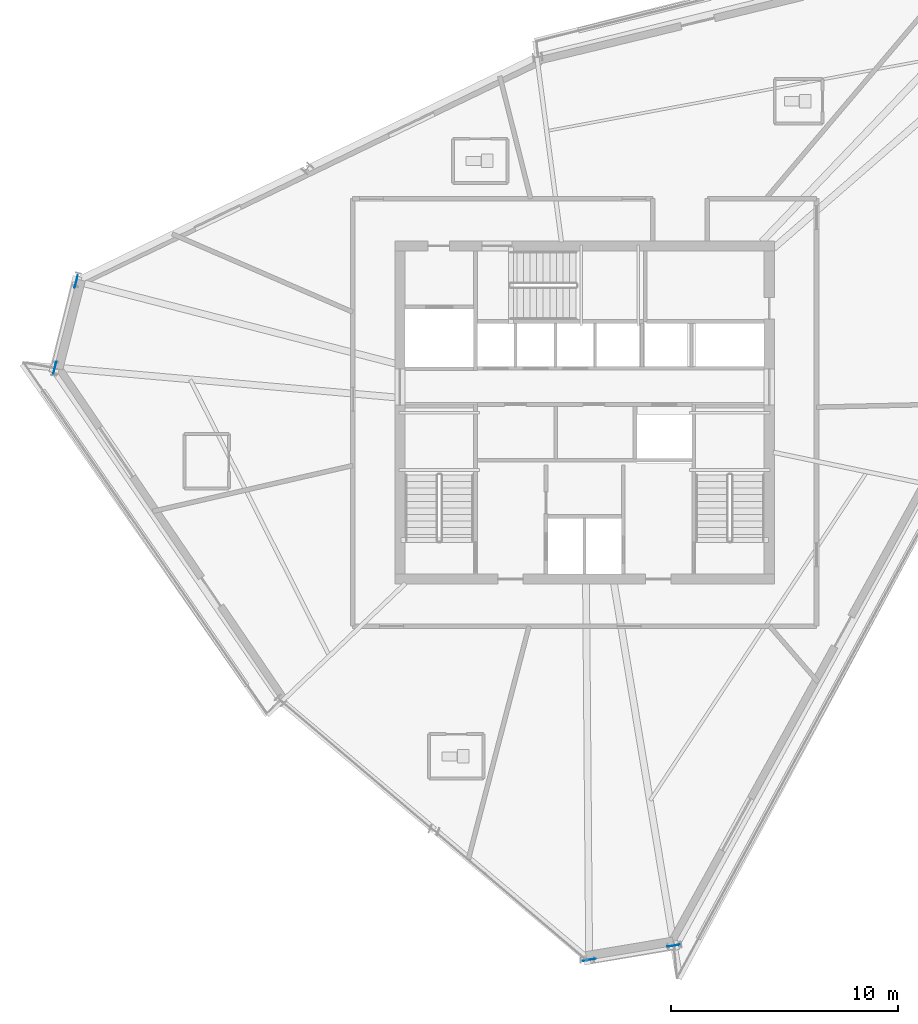
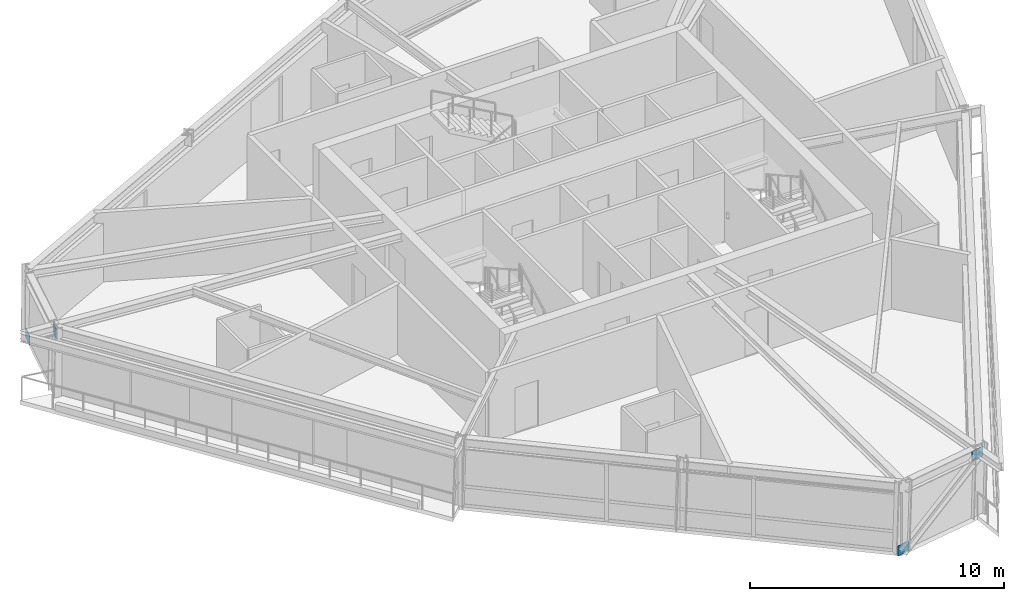
# One storey, part 6 of 15: 4 plates.
"""IFC4 building model written with IfcOpenShell, lengths in metres."""

import ifcopenshell
import ifcopenshell.guid

model = None  # the IFC model being written
_history = None  # IfcOwnerHistory: only IFC2X3 demands one
_inside = {}  # id of a spatial element -> (the spatial element, [elements in it])
_under = {}  # id of a project, library or spatial element -> (it, [spatial elements below it])
_declared = {}  # id of a project -> (the project, [libraries it declares])
_typed = {}  # id of a type object -> (the type object, [elements of that type])
_made_of = {}  # id of a material, layer set ... -> (it, [elements and type objects made of it])


def new_model(schema):
    """Start an empty IFC model of exactly this schema.

    Asked for "IFC4X3", IfcOpenShell would pick the latest addendum, in which some entities
    have other attributes; the version numbers below select the first issue.
    IFC2X3 requires an IfcOwnerHistory on every rooted entity: one is made here for all.
    """
    global model, _history
    if schema == "IFC4X3":
        model = ifcopenshell.file(schema_version=(4, 3, 0, 0))
    else:
        model = ifcopenshell.file(schema=schema)
    _inside.clear()
    _under.clear()
    _declared.clear()
    _typed.clear()
    _made_of.clear()
    _history = None
    if model.schema == "IFC2X3":
        org = make("IfcOrganization", Name="unknown")
        user = make(
            "IfcPersonAndOrganization",
            ThePerson=make("IfcPerson", FamilyName="unknown"),
            TheOrganization=org,
        )
        app = make(
            "IfcApplication",
            ApplicationDeveloper=org,
            Version="unknown",
            ApplicationFullName="unknown",
            ApplicationIdentifier="unknown",
        )
        _history = make(
            "IfcOwnerHistory",
            OwningUser=user,
            OwningApplication=app,
            ChangeAction="ADDED",
            CreationDate=0,
        )
    return model


def make(cls, **values):
    """One entity of the class cls with the attributes given. An attribute that is None is left unset."""
    return model.create_entity(
        cls, **{name: value for name, value in values.items() if value is not None}
    )


def rooted(cls, **values):
    """An entity with a GlobalId (a new one), such as an element, a storey or a relation."""
    return make(cls, GlobalId=ifcopenshell.guid.new(), OwnerHistory=_history, **values)


def si_unit(unit_type, name, prefix=None):
    """IfcSIUnit, for example si_unit("LENGTHUNIT", "METRE", prefix="MILLI")."""
    return make("IfcSIUnit", UnitType=unit_type, Prefix=prefix, Name=name)


def assignment(units):
    """IfcUnitAssignment: the units of a project."""
    return None if units is None else make("IfcUnitAssignment", Units=units)


def point(xyz):
    """IfcCartesianPoint."""
    return None if xyz is None else make("IfcCartesianPoint", Coordinates=xyz)


def direction(xyz):
    """IfcDirection."""
    return None if xyz is None else make("IfcDirection", DirectionRatios=xyz)


def frame(location, z_axis=None, x_axis=None):
    """IfcAxis2Placement3D, a coordinate frame: its origin and axes. An axis left out is left unset."""
    return make(
        "IfcAxis2Placement3D",
        Location=point(location),
        Axis=direction(z_axis),
        RefDirection=direction(x_axis),
    )


def frame_2d(location, x_axis=None):
    """IfcAxis2Placement2D, a coordinate frame in the plane: its origin and x axis."""
    return make(
        "IfcAxis2Placement2D", Location=point(location), RefDirection=direction(x_axis)
    )


def origin():
    """The frame at (0, 0, 0) with its axes left unset."""
    return frame((0.0, 0.0, 0.0))


def origin_2d():
    """The frame at (0, 0) in the plane with its x axis left unset."""
    return frame_2d((0.0, 0.0))


def place(relative_to, where):
    """IfcLocalPlacement: puts the frame where relative to a parent placement (None: the world)."""
    return make(
        "IfcLocalPlacement", PlacementRelTo=relative_to, RelativePlacement=where
    )


def context(
    kind, dimensions, precision=None, world=None, true_north=None, identifier=None
):
    """IfcGeometricRepresentationContext, for example the 3D "Model" context."""
    return make(
        "IfcGeometricRepresentationContext",
        ContextIdentifier=identifier,
        ContextType=kind,
        CoordinateSpaceDimension=dimensions,
        Precision=precision,
        WorldCoordinateSystem=world,
        TrueNorth=true_north,
    )


def subcontext(parent, identifier, kind, view, scale=None):
    """IfcGeometricRepresentationSubContext, for example "Body" below "Model"."""
    return make(
        "IfcGeometricRepresentationSubContext",
        ContextIdentifier=identifier,
        ContextType=kind,
        ParentContext=parent,
        TargetScale=scale,
        TargetView=view,
    )


def project(units=None, contexts=None):
    """IfcProject with its units and contexts."""
    return rooted(
        "IfcProject",
        Name="project",
        RepresentationContexts=contexts,
        UnitsInContext=assignment(units),
    )


def spatial(cls, under=None, at=None, **own):
    """A site, building, storey or space (cls), placed at a placement, below another one or the project."""
    s = rooted(cls, ObjectPlacement=at, **own)
    if under is not None:
        _under.setdefault(under.id(), (under, []))[1].append(s)
    return s


def profile(cls, at=None, kind="AREA", **sizes):
    """A parametric profile (cls). Its sizes go by their IFC names, for example OverallWidth=200.0."""
    return make(cls, ProfileType=kind, Position=at, **sizes)


def rectangle(**sizes):
    """IfcRectangleProfileDef."""
    return profile("IfcRectangleProfileDef", **sizes)


def extrude(swept, where, along, depth):
    """IfcExtrudedAreaSolid: the profile swept, set in the frame where, extruded along a direction by depth."""
    return make(
        "IfcExtrudedAreaSolid",
        SweptArea=swept,
        Position=where,
        ExtrudedDirection=direction(along),
        Depth=depth,
    )


def shape(context_of_items, identifier, shape_type, items):
    """IfcShapeRepresentation: the items that make up one representation, for example the "Body"."""
    return make(
        "IfcShapeRepresentation",
        ContextOfItems=context_of_items,
        RepresentationIdentifier=identifier,
        RepresentationType=shape_type,
        Items=items,
    )


def source(mapping_origin, context_of_items, identifier, shape_type, items):
    """IfcRepresentationMap: a shape defined once, which mapped items show again and again."""
    return make(
        "IfcRepresentationMap",
        MappingOrigin=mapping_origin,
        MappedRepresentation=shape(context_of_items, identifier, shape_type, items),
    )


def transform(
    local_origin,
    x_axis=None,
    y_axis=None,
    z_axis=None,
    scale=None,
    scale2=None,
    scale3=None,
    uniform=True,
):
    """IfcCartesianTransformationOperator3D, or its non-uniform kind. x_axis, y_axis, z_axis: its Axis1, 2, 3."""
    if uniform:
        return make(
            "IfcCartesianTransformationOperator3D",
            Axis1=direction(x_axis),
            Axis2=direction(y_axis),
            LocalOrigin=point(local_origin),
            Scale=scale,
            Axis3=direction(z_axis),
        )
    return make(
        "IfcCartesianTransformationOperator3DnonUniform",
        Axis1=direction(x_axis),
        Axis2=direction(y_axis),
        LocalOrigin=point(local_origin),
        Scale=scale,
        Axis3=direction(z_axis),
        Scale2=scale2,
        Scale3=scale3,
    )


def mapped(mapping_source, mapping_target):
    """IfcMappedItem: shows the shape of a source again, moved by a transform."""
    return make(
        "IfcMappedItem", MappingSource=mapping_source, MappingTarget=mapping_target
    )


def material(Name=None, Category=None):
    """IfcMaterial."""
    return make("IfcMaterial", Name=Name, Category=Category)


def made_of(thing, what):
    """Note that an element or type object is made of a material, layer set ...; save() writes the relation."""
    if what is not None:
        _made_of.setdefault(what.id(), (what, []))[1].append(thing)
    return thing


def type_object(cls, material=None, **own):
    """A type object (cls), such as IfcWallType, which elements share."""
    return made_of(rooted(cls, **own), material)


def element(
    cls,
    number,
    at=None,
    inside=None,
    cuts=None,
    type_object=None,
    material=None,
    context=None,
    identifier="Body",
    shape_type=None,
    held_by="IfcProductDefinitionShape",
    body=None,
    shapes=None,
    **own,
):
    """One element of the class cls, such as IfcWall. Its Tag is "e" and its number.

    at: its placement. inside: the storey or other place that contains it. cuts: it is an
    opening in that element (IfcRelVoidsElement). A single representation is given by context,
    identifier, shape_type and body (its items); several are given by shapes. held_by: the class
    of the entity that holds the representations. save() writes the other relations.
    """
    e = rooted(cls, Tag="e%d" % number, ObjectPlacement=at, **own)
    if body is not None:
        shapes = [shape(context, identifier, shape_type, body)]
    if shapes is not None:
        e.Representation = make(held_by, Representations=shapes)
    if inside is not None:
        _inside.setdefault(inside.id(), (inside, []))[1].append(e)
    if cuts is not None:
        rooted(
            "IfcRelVoidsElement", RelatingBuildingElement=cuts, RelatedOpeningElement=e
        )
    if type_object is not None:
        _typed.setdefault(type_object.id(), (type_object, []))[1].append(e)
    return made_of(e, material)


def aggregate(whole, parts):
    """IfcRelAggregates: a whole, such as a stair, and the parts it consists of."""
    return rooted("IfcRelAggregates", RelatingObject=whole, RelatedObjects=parts)


def save(model, path):
    """Write the relations noted so far, then the file.

    IfcRelAggregates (storeys below a building ...), IfcRelContainedInSpatialStructure (elements
    in a storey), IfcRelDefinesByType, IfcRelAssociatesMaterial and IfcRelDeclares: one each for
    every whole, place, type object, material and project.
    """
    for whole, parts in _under.values():
        aggregate(whole, parts)
    for where, things in _inside.values():
        rooted(
            "IfcRelContainedInSpatialStructure",
            RelatedElements=things,
            RelatingStructure=where,
        )
    for kind, things in _typed.values():
        rooted("IfcRelDefinesByType", RelatedObjects=things, RelatingType=kind)
    for what, things in _made_of.values():
        rooted("IfcRelAssociatesMaterial", RelatedObjects=things, RelatingMaterial=what)
    for by, libraries in _declared.values():
        rooted("IfcRelDeclares", RelatingContext=by, RelatedDefinitions=libraries)
    model.write(path)


model = new_model("IFC4")

# Units and contexts
model_context = context("Model", 3, precision=1e-05, world=origin(), true_north=direction((0.0, 1.0)))
body_context = subcontext(model_context, "Body", "Model", "MODEL_VIEW")
ifc_project = project(units=[si_unit("LENGTHUNIT", "METRE"), si_unit("AREAUNIT", "SQUARE_METRE"), si_unit("VOLUMEUNIT", "CUBIC_METRE"), si_unit("PLANEANGLEUNIT", "RADIAN"), si_unit("MASSUNIT", "GRAM", prefix="KILO")], contexts=[model_context])

# Site, building, storey
site_placement = place(None, origin())
site = spatial("IfcSite", under=ifc_project, at=site_placement, CompositionType="ELEMENT")
building_placement = place(site_placement, origin())
building = spatial("IfcBuilding", under=site, at=building_placement, Name="Olszyna Solenne Hotel", CompositionType="ELEMENT")
storey_placement = place(building_placement, frame((0.0, 0.0, 213.14990234375)))
storey = spatial("IfcBuildingStorey", under=building, at=storey_placement, Name="L56", CompositionType="ELEMENT", Elevation=213.14990234375)

# Plates
ifc_material = material(Name="Steel S355J2", Category="steel")
plate_type = type_object("IfcPlateType", Name="GP-ND2", PredefinedType="USERDEFINED", material=ifc_material)
shared_shape = source(origin(), body_context, "Body", "SweptSolid", [
    extrude(rectangle(XDim=0.56005859375, YDim=0.02001953125, at=origin_2d()), origin(), (0.0, 0.0, 1.0), 0.47998046875),
])
for number, where, z_axis, x_axis, name in (
    (1, (15.635498046875, 32.355712890625, -0.146728515625), (0.0, 0.0, 1.0), (-0.241244442494, -0.970464383152, 0.0), "Brace end connection gusset plate GP-ND2 EP-BR-L56-2-1"),
    (2, (14.693115234375, 28.565673828125, 2.73193359375), (0.0, 0.0, 1.0), (-0.241244442494, -0.970464383152, 0.0), "Brace end connection gusset plate GP-ND2 EP-BR-L56-2-2"),
    (3, (38.204345703125, 2.52099609375, -0.144775390625), (0.0, 0.0, 1.0), (0.986285601537, 0.165047605861, 0.0), "Brace end connection gusset plate GP-ND2 EP-BR-L56-3-1"),
    (4, (41.916015625, 3.142333984375, 2.730224609375), (0.0, 0.0, 1.0), (0.986285601537, 0.165047605861, 0.0), "Brace end connection gusset plate GP-ND2 EP-BR-L56-3-2"),
):
    element("IfcPlate", number, at=place(storey_placement, frame(where, z_axis=z_axis, x_axis=x_axis)), inside=storey, type_object=plate_type, Name=name, ObjectType="GUSSET_PLATE", PredefinedType="USERDEFINED", context=body_context, shape_type="MappedRepresentation", body=[
        mapped(shared_shape, transform((0.0, 0.0, 0.0), x_axis=(1.0, 0.0, 0.0), y_axis=(0.0, 1.0, 0.0), z_axis=(0.0, 0.0, 1.0), scale=1.0)),
    ])

save(model, "model.ifc")
